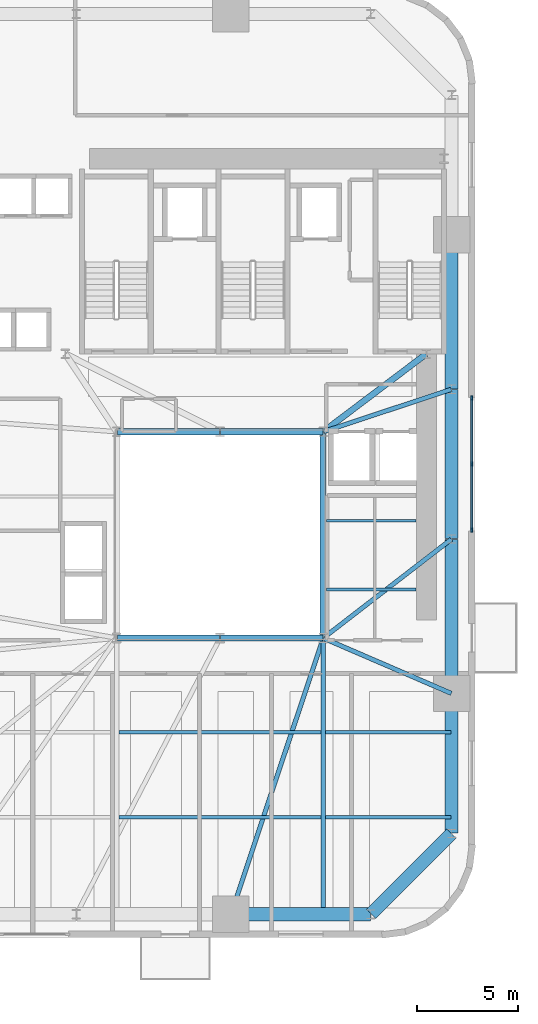
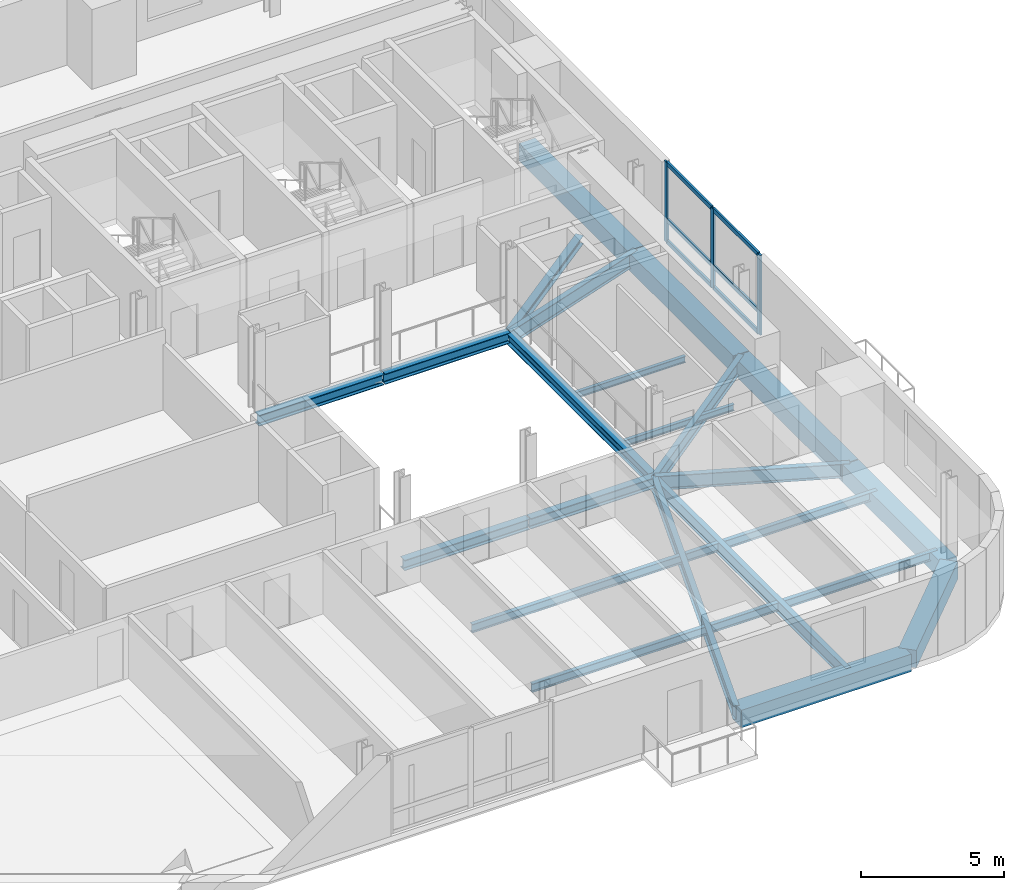
# One storey, part 3 of 13: 23 beams, 9 members, 1 element without a shape of its own.
"""IFC4 building model written with IfcOpenShell, lengths in metres."""

from ifc_helpers import new_model, si_unit, direction, frame, origin, origin_2d, place, context, subcontext, project, spatial, rectangle, i_section, extrude, source, transform, mapped, material, material_profile, profile_set, type_object, element, aggregate, save


model = new_model("IFC4")

# Units and contexts
model_context = context("Model", 3, precision=1e-05, world=origin(), true_north=direction((0.0, 1.0)))
body_context = subcontext(model_context, "Body", "Model", "MODEL_VIEW")
ifc_project = project(units=[si_unit("LENGTHUNIT", "METRE"), si_unit("AREAUNIT", "SQUARE_METRE"), si_unit("VOLUMEUNIT", "CUBIC_METRE"), si_unit("PLANEANGLEUNIT", "RADIAN"), si_unit("MASSUNIT", "GRAM", prefix="KILO")], contexts=[model_context])

# Site, building, storey
site_placement = place(None, origin())
site = spatial("IfcSite", under=ifc_project, at=site_placement, CompositionType="ELEMENT")
building_placement = place(site_placement, origin())
building = spatial("IfcBuilding", under=site, at=building_placement, Name="Vardaveli Station Tower", CompositionType="ELEMENT")
storey_placement = place(building_placement, frame((0.0, 0.0, 53.14990234375)))
storey = spatial("IfcBuildingStorey", under=building, at=storey_placement, Name="L13", CompositionType="ELEMENT", Elevation=53.14990234375)

# Beams
ifc_material_1 = material(Name="Structural steel S355J2", Category="steel")
ifc_material_profile_1 = material_profile(ifc_material_1, i_section(OverallWidth=0.300048828125, OverallDepth=0.449951171875, WebThickness=0.013916015625, FlangeThickness=0.02587890625, FilletRadius=0.027099609375, at=origin_2d()), Name="HEB 450")
ifc_profile_set_1 = profile_set([ifc_material_profile_1], Name="Structural steel S355J2")
beam_type_1 = type_object("IfcBeamType", Name="BM-HEB450", PredefinedType="BEAM", material=ifc_profile_set_1)
shared_shape_1 = source(origin(), body_context, "Body", "SweptSolid", [
    extrude(i_section(OverallWidth=0.300048828125, OverallDepth=0.449951171875, WebThickness=0.013916015625, FlangeThickness=0.02587890625, FilletRadius=0.027099609375, at=origin_2d()), origin(), (0.0, 0.0, 1.0), 5.06005859375),
])
for number, where, z_axis, x_axis, name in (
    (1, (31.219970703125, 16.60009765625, -0.46484375), (1.0, 0.0, 0.0), (0.0, 1.0, 0.0), "ABM-L13-01"),
    (2, (36.280029296875, 26.800048828125, -0.46484375), (-1.0, 0.0, 0.0), (0.0, -1.0, 0.0), "ABM-L13-05"),
):
    element("IfcBeam", number, at=place(storey_placement, frame(where, z_axis=z_axis, x_axis=x_axis)), inside=storey, type_object=beam_type_1, Name=name, PredefinedType="BEAM", context=body_context, shape_type="MappedRepresentation", body=[
        mapped(shared_shape_1, transform((0.0, 0.0, 0.0), scale=1.0)),
    ])
shared_shape_2 = source(origin(), body_context, "Body", "SweptSolid", [
    extrude(i_section(OverallWidth=0.300048828125, OverallDepth=0.449951171875, WebThickness=0.013916015625, FlangeThickness=0.02587890625, FilletRadius=0.027099609375, at=origin_2d()), origin(), (0.0, 0.0, 1.0), 5.059814453125),
])
for number, where, z_axis, x_axis, name in (
    (3, (36.320068359375, 16.60009765625, -0.46484375), (1.0, 0.0, 0.0), (0.0, 1.0, 0.0), "ABM-L13-02"),
    (4, (41.3798828125, 26.800048828125, -0.46484375), (-1.0, 0.0, 0.0), (0.0, -1.0, 0.0), "ABM-L13-04"),
):
    element("IfcBeam", number, at=place(storey_placement, frame(where, z_axis=z_axis, x_axis=x_axis)), inside=storey, type_object=beam_type_1, Name=name, PredefinedType="BEAM", context=body_context, shape_type="MappedRepresentation", body=[
        mapped(shared_shape_2, transform((0.0, 0.0, 0.0), scale=1.0)),
    ])
shared_shape_3 = source(origin(), body_context, "Body", "SweptSolid", [
    extrude(i_section(OverallWidth=0.300048828125, OverallDepth=0.449951171875, WebThickness=0.013916015625, FlangeThickness=0.02587890625, FilletRadius=0.027099609375, at=origin_2d()), origin(), (0.0, 0.0, 1.0), 10.159912109375),
])
beam_1_placement = place(storey_placement, frame((41.39990234375, 16.6201171875, -0.46484375), z_axis=(0.0, 1.0, 0.0), x_axis=(-1.0, 0.0, 0.0)))
element("IfcBeam", 5, at=beam_1_placement, inside=storey, type_object=beam_type_1, Name="ABM-L13-03", PredefinedType="BEAM", context=body_context, shape_type="MappedRepresentation", body=[
    mapped(shared_shape_3, transform((0.0, 0.0, 0.0), scale=1.0)),
])
ifc_material_profile_2 = material_profile(ifc_material_1, i_section(OverallWidth=0.300048828125, OverallDepth=0.360107421875, WebThickness=0.012451171875, FlangeThickness=0.0224609375, FilletRadius=0.027099609375, at=origin_2d()), Name="HEB 360")
ifc_profile_set_2 = profile_set([ifc_material_profile_2], Name="Structural steel S355J2")
beam_type_2 = type_object("IfcBeamType", Name="BM-HEB360", PredefinedType="BEAM", material=ifc_profile_set_2)
shared_shape_4 = source(origin(), body_context, "Body", "SweptSolid", [
    extrude(i_section(OverallWidth=0.300048828125, OverallDepth=0.360107421875, WebThickness=0.012451171875, FlangeThickness=0.0224609375, FilletRadius=0.027099609375, at=origin_2d()), origin(), (0.0, 0.0, 1.0), 6.35009765625),
])
beam_2_placement = place(storey_placement, frame((41.416015625, 26.81201171875, -0.419921875), z_axis=(0.798118337722, 0.602500721154, 0.0), x_axis=(-0.602500721154, 0.798118337722, 0.0)))
element("IfcBeam", 6, at=beam_2_placement, inside=storey, type_object=beam_type_2, Name="CBM-L13-02", PredefinedType="BEAM", context=body_context, shape_type="MappedRepresentation", body=[
    mapped(shared_shape_4, transform((0.0, 0.0, 0.0), scale=1.0)),
])
ifc_material_2 = material(Name="Precast concrete C45/55", Category="concrete")
ifc_material_profile_3 = material_profile(ifc_material_2, rectangle(XDim=0.64990234375, YDim=0.75, at=origin_2d()), Name="LPB 650x750")
ifc_profile_set_3 = profile_set([ifc_material_profile_3], Name="Precast concrete C45/55")
beam_type_3 = type_object("IfcBeamType", Name="BM-LPB-750", PredefinedType="BEAM", material=ifc_profile_set_3)
shared_shape_5 = source(origin(), body_context, "Body", "SweptSolid", [
    extrude(rectangle(XDim=0.64990234375, YDim=0.75, at=origin_2d()), origin(), (0.0, 0.0, 1.0), 7.60009765625),
])
for number, where, z_axis, x_axis, name in (
    (7, (47.75, 13.8798828125, -0.614990234375), (0.0, 1.0, 0.0), (-1.0, 0.0, 0.0), "RBM-L13-07"),
    (8, (47.75, 28.919921875, -0.614990234375), (0.0, 1.0, 0.0), (-1.0, 0.0, 0.0), "RBM-L13-09"),
):
    element("IfcBeam", number, at=place(storey_placement, frame(where, z_axis=z_axis, x_axis=x_axis)), inside=storey, type_object=beam_type_3, Name=name, PredefinedType="BEAM", context=body_context, shape_type="MappedRepresentation", body=[
        mapped(shared_shape_5, transform((0.0, 0.0, 0.0), scale=1.0)),
    ])
shared_shape_6 = source(origin(), body_context, "Body", "SweptSolid", [
    extrude(rectangle(XDim=0.64990234375, YDim=0.75, at=origin_2d()), origin(), (0.0, 0.0, 1.0), 7.35986328125),
])
beam_3_placement = place(storey_placement, frame((47.75, 21.52001953125, -0.614990234375), z_axis=(0.0, 1.0, 0.0), x_axis=(-1.0, 0.0, 0.0)))
element("IfcBeam", 9, at=beam_3_placement, inside=storey, type_object=beam_type_3, Name="RBM-L13-08", PredefinedType="BEAM", context=body_context, shape_type="MappedRepresentation", body=[
    mapped(shared_shape_6, transform((0.0, 0.0, 0.0), scale=1.0)),
])
shared_shape_7 = source(origin(), body_context, "Body", "SweptSolid", [
    extrude(rectangle(XDim=0.64990234375, YDim=0.75, at=origin_2d()), origin(), (0.0, 0.0, 1.0), 6.869873046875),
])
beam_4_placement = place(storey_placement, frame((36.860107421875, 2.949951171875, -0.614990234375), z_axis=(1.0, 0.0, 0.0), x_axis=(0.0, 1.0, 0.0)))
element("IfcBeam", 10, at=beam_4_placement, inside=storey, type_object=beam_type_3, Name="RBM-L13-04", PredefinedType="BEAM", context=body_context, shape_type="MappedRepresentation", body=[
    mapped(shared_shape_7, transform((0.0, 0.0, 0.0), scale=1.0)),
])
shared_shape_8 = source(origin(), body_context, "Body", "SweptSolid", [
    extrude(rectangle(XDim=0.64990234375, YDim=0.75, at=origin_2d()), origin(), (0.0, 0.0, 1.0), 5.61669921875),
])
beam_5_placement = place(storey_placement, frame((43.76416015625, 2.964111328125, -0.614990234375), z_axis=(0.707106781187, 0.707106781187, 0.0), x_axis=(-0.707106781187, 0.707106781187, 0.0)))
element("IfcBeam", 11, at=beam_5_placement, inside=storey, type_object=beam_type_3, Name="RBM-L13-05", PredefinedType="BEAM", context=body_context, shape_type="MappedRepresentation", body=[
    mapped(shared_shape_8, transform((0.0, 0.0, 0.0), scale=1.0)),
])
shared_shape_9 = source(origin(), body_context, "Body", "SweptSolid", [
    extrude(rectangle(XDim=0.64990234375, YDim=0.75, at=origin_2d()), origin(), (0.0, 0.0, 1.0), 6.8701171875),
])
beam_6_placement = place(storey_placement, frame((47.75, 6.969970703125, -0.614990234375), z_axis=(0.0, 1.0, 0.0), x_axis=(-1.0, 0.0, 0.0)))
element("IfcBeam", 12, at=beam_6_placement, inside=storey, type_object=beam_type_3, Name="RBM-L13-06", PredefinedType="BEAM", context=body_context, shape_type="MappedRepresentation", body=[
    mapped(shared_shape_9, transform((0.0, 0.0, 0.0), scale=1.0)),
])
ifc_material_profile_4 = material_profile(ifc_material_1, i_section(OverallWidth=0.219970703125, OverallDepth=0.60009765625, WebThickness=0.011962890625, FlangeThickness=0.01904296875, FilletRadius=0.02392578125, at=origin_2d()), Name="IPE 600")
ifc_profile_set_4 = profile_set([ifc_material_profile_4], Name="Structural steel S355J2")
beam_type_4 = type_object("IfcBeamType", Name="BM-IPE600", PredefinedType="BEAM", material=ifc_profile_set_4)
shared_shape_10 = source(origin(), body_context, "Body", "SweptSolid", [
    extrude(i_section(OverallWidth=0.219970703125, OverallDepth=0.60009765625, WebThickness=0.011962890625, FlangeThickness=0.01904296875, FilletRadius=0.02392578125, at=origin_2d()), origin(), (0.0, 0.0, 1.0), 14.3515625),
])
beam_7_placement = place(storey_placement, frame((36.846435546875, 2.968994140625, -0.539794921875), z_axis=(0.316840115921, 0.948478961782, 0.0), x_axis=(-0.948478961782, 0.316840115921, 0.0)))
element("IfcBeam", 13, at=beam_7_placement, inside=storey, type_object=beam_type_4, Name="GBM-L13-04", PredefinedType="BEAM", context=body_context, shape_type="MappedRepresentation", body=[
    mapped(shared_shape_10, transform((0.0, 0.0, 0.0), scale=1.0)),
])
shared_shape_11 = source(origin(), body_context, "Body", "SweptSolid", [
    extrude(i_section(OverallWidth=0.219970703125, OverallDepth=0.60009765625, WebThickness=0.011962890625, FlangeThickness=0.01904296875, FilletRadius=0.02392578125, at=origin_2d()), origin(), (0.0, 0.0, 1.0), 6.8759765625),
])
beam_8_placement = place(storey_placement, frame((47.731689453125, 13.867919921875, -0.539794921875), z_axis=(-0.918170694621, 0.396185026899, 0.0), x_axis=(-0.396185026899, -0.918170694621, 0.0)))
element("IfcBeam", 14, at=beam_8_placement, inside=storey, type_object=beam_type_4, Name="GBM-L13-05", PredefinedType="BEAM", context=body_context, shape_type="MappedRepresentation", body=[
    mapped(shared_shape_11, transform((0.0, 0.0, 0.0), scale=1.0)),
])
shared_shape_12 = source(origin(), body_context, "Body", "SweptSolid", [
    extrude(i_section(OverallWidth=0.219970703125, OverallDepth=0.60009765625, WebThickness=0.011962890625, FlangeThickness=0.01904296875, FilletRadius=0.02392578125, at=origin_2d()), origin(), (0.0, 0.0, 1.0), 7.980712890625),
])
beam_9_placement = place(storey_placement, frame((47.734130859375, 21.48779296875, -0.539794921875), z_axis=(-0.791701934907, -0.610907559509, 0.0), x_axis=(0.610907559509, -0.791701934907, 0.0)))
element("IfcBeam", 15, at=beam_9_placement, inside=storey, type_object=beam_type_4, Name="GBM-L13-06", PredefinedType="BEAM", context=body_context, shape_type="MappedRepresentation", body=[
    mapped(shared_shape_12, transform((0.0, 0.0, 0.0), scale=1.0)),
])
shared_shape_13 = source(origin(), body_context, "Body", "SweptSolid", [
    extrude(i_section(OverallWidth=0.219970703125, OverallDepth=0.60009765625, WebThickness=0.011962890625, FlangeThickness=0.01904296875, FilletRadius=0.02392578125, at=origin_2d()), origin(), (0.0, 0.0, 1.0), 6.648193359375),
])
beam_10_placement = place(storey_placement, frame((47.73095703125, 28.893798828125, -0.539794921875), z_axis=(-0.949429779906, -0.313979446824, 0.0), x_axis=(0.313979446824, -0.949429779906, 0.0)))
element("IfcBeam", 16, at=beam_10_placement, inside=storey, type_object=beam_type_4, Name="GBM-L13-07", PredefinedType="BEAM", context=body_context, shape_type="MappedRepresentation", body=[
    mapped(shared_shape_13, transform((0.0, 0.0, 0.0), scale=1.0)),
])
ifc_material_profile_5 = material_profile(ifc_material_1, i_section(OverallWidth=0.2099609375, OverallDepth=0.550048828125, WebThickness=0.010986328125, FlangeThickness=0.01708984375, FilletRadius=0.02392578125, at=origin_2d()), Name="IPE 550")
ifc_profile_set_5 = profile_set([ifc_material_profile_5], Name="Structural steel S355J2")
beam_type_5 = type_object("IfcBeamType", Name="BM-IPE550", PredefinedType="BEAM", material=ifc_profile_set_5)
shared_shape_14 = source(origin(), body_context, "Body", "SweptSolid", [
    extrude(i_section(OverallWidth=0.2099609375, OverallDepth=0.550048828125, WebThickness=0.010986328125, FlangeThickness=0.01708984375, FilletRadius=0.02392578125, at=origin_2d()), origin(), (0.0, 0.0, 1.0), 13.469970703125),
])
beam_11_placement = place(storey_placement, frame((41.39990234375, 2.989990234375, -0.514892578125), z_axis=(0.0, 1.0, 0.0), x_axis=(-1.0, 0.0, 0.0)))
element("IfcBeam", 17, at=beam_11_placement, inside=storey, type_object=beam_type_5, Name="NSM-L13-S2", PredefinedType="BEAM", context=body_context, shape_type="MappedRepresentation", body=[
    mapped(shared_shape_14, transform((0.0, 0.0, 0.0), scale=1.0)),
])
ifc_material_profile_6 = material_profile(ifc_material_1, i_section(OverallWidth=0.169921875, OverallDepth=0.360107421875, WebThickness=0.008056640625, FlangeThickness=0.0126953125, FilletRadius=0.01806640625, at=origin_2d()), Name="IPE 360")
ifc_profile_set_6 = profile_set([ifc_material_profile_6], Name="Structural steel S355J2")
beam_type_6 = type_object("IfcBeamType", Name="BM-IPE360", PredefinedType="JOIST", material=ifc_profile_set_6)
shared_shape_15 = source(origin(), body_context, "Body", "SweptSolid", [
    extrude(i_section(OverallWidth=0.169921875, OverallDepth=0.360107421875, WebThickness=0.008056640625, FlangeThickness=0.0126953125, FilletRadius=0.01806640625, at=origin_2d()), origin(), (0.0, 0.0, 1.0), 9.97607421875),
])
for number, where, z_axis, x_axis, name in (
    (18, (31.31201171875, 7.75, -0.419921875), (1.0, 0.0, 0.0), (0.0, 1.0, 0.0), "SJ-L13-S02"),
    (19, (31.31201171875, 11.949951171875, -0.419921875), (1.0, 0.0, 0.0), (0.0, 1.0, 0.0), "SJ-L13-S05"),
):
    element("IfcBeam", number, at=place(storey_placement, frame(where, z_axis=z_axis, x_axis=x_axis)), inside=storey, type_object=beam_type_6, Name=name, PredefinedType="JOIST", context=body_context, shape_type="MappedRepresentation", body=[
        mapped(shared_shape_15, transform((0.0, 0.0, 0.0), scale=1.0)),
    ])
shared_shape_16 = source(origin(), body_context, "Body", "SweptSolid", [
    extrude(i_section(OverallWidth=0.169921875, OverallDepth=0.360107421875, WebThickness=0.008056640625, FlangeThickness=0.0126953125, FilletRadius=0.01806640625, at=origin_2d()), origin(), (0.0, 0.0, 1.0), 6.197998046875),
])
for number, where, z_axis, x_axis, name in (
    (20, (41.511962890625, 7.75, -0.419921875), (1.0, 0.0, 0.0), (0.0, 1.0, 0.0), "SJ-L13-S03"),
    (21, (41.511962890625, 11.949951171875, -0.419921875), (1.0, 0.0, 0.0), (0.0, 1.0, 0.0), "SJ-L13-S06"),
):
    element("IfcBeam", number, at=place(storey_placement, frame(where, z_axis=z_axis, x_axis=x_axis)), inside=storey, type_object=beam_type_6, Name=name, PredefinedType="JOIST", context=body_context, shape_type="MappedRepresentation", body=[
        mapped(shared_shape_16, transform((0.0, 0.0, 0.0), scale=1.0)),
    ])
ifc_material_profile_7 = material_profile(ifc_material_1, i_section(OverallWidth=0.135009765625, OverallDepth=0.27001953125, WebThickness=0.006591796875, FlangeThickness=0.01025390625, FilletRadius=0.014892578125, at=origin_2d()), Name="IPE 270")
ifc_profile_set_7 = profile_set([ifc_material_profile_7], Name="Structural steel S355J2")
beam_type_7 = type_object("IfcBeamType", Name="BM-IPE270", PredefinedType="BEAM", material=ifc_profile_set_7)
shared_shape_17 = source(origin(), body_context, "Body", "SweptSolid", [
    extrude(i_section(OverallWidth=0.135009765625, OverallDepth=0.27001953125, WebThickness=0.006591796875, FlangeThickness=0.01025390625, FilletRadius=0.014892578125, at=origin_2d()), origin(), (0.0, 0.0, 1.0), 4.43017578125),
])
for number, where, z_axis, x_axis, name in (
    (22, (41.56494140625, 19.0, -0.375), (1.0, 0.0, 0.0), (0.0, 1.0, 0.0), "TJ-L13-01"),
    (23, (41.56494140625, 22.39990234375, -0.375), (1.0, 0.0, 0.0), (0.0, 1.0, 0.0), "TJ-L13-02"),
):
    element("IfcBeam", number, at=place(storey_placement, frame(where, z_axis=z_axis, x_axis=x_axis)), inside=storey, type_object=beam_type_7, Name=name, PredefinedType="BEAM", context=body_context, shape_type="MappedRepresentation", body=[
        mapped(shared_shape_17, transform((0.0, 0.0, 0.0), scale=1.0)),
    ])

# Curtain wall, members
ifc_material_3 = material(Name="Travertine stone and solar-control glass", Category="masonry")
curtain_wall_type = type_object("IfcCurtainWallType", Name="CW-SYS-2", PredefinedType="NOTDEFINED", material=ifc_material_3)
curtain_wall_placement = place(storey_placement, origin())
curtain_wall = element("IfcCurtainWall", 24, at=curtain_wall_placement, inside=storey, type_object=curtain_wall_type, Name="CW-L13-E", PredefinedType="NOTDEFINED")
ifc_material_4 = material(Name="Anodised aluminium alloy 6063-T6", Category="aluminium")
ifc_material_profile_8 = material_profile(ifc_material_4, rectangle(XDim=0.0849609375, YDim=0.179931640625, at=origin_2d()), Name="CWT 85x180")
ifc_profile_set_8 = profile_set([ifc_material_profile_8], Name="Anodised aluminium alloy 6063-T6")
member_type_1 = type_object("IfcMemberType", Name="CW-SYS-2-TRAN", PredefinedType="NOTDEFINED", material=ifc_profile_set_8)
shared_shape_18 = source(origin(), body_context, "Body", "SweptSolid", [
    extrude(rectangle(XDim=0.0849609375, YDim=0.179931640625, at=origin_2d()), origin(), (0.0, 0.0, 1.0), 3.172607421875),
])
member_1_placement = place(storey_placement, frame((48.739990234375, 25.242431640625, 0.04248046875), z_axis=(0.0, 1.0, 0.0), x_axis=(-1.0, 0.0, 0.0)))
member_1 = element("IfcMember", 25, at=member_1_placement, type_object=member_type_1, Name="CW-2 transom 2.1", ObjectType="TRANSOM", PredefinedType="USERDEFINED", context=body_context, shape_type="MappedRepresentation", body=[
    mapped(shared_shape_18, transform((0.0, 0.0, 0.0), scale=1.0)),
])
member_2_placement = place(storey_placement, frame((48.739990234375, 25.242431640625, 0.9501953125), z_axis=(0.0, 1.0, 0.0), x_axis=(-1.0, 0.0, 0.0)))
member_2 = element("IfcMember", 26, at=member_2_placement, type_object=member_type_1, Name="CW-2 transom 2.2", ObjectType="TRANSOM", PredefinedType="USERDEFINED", context=body_context, shape_type="MappedRepresentation", body=[
    mapped(shared_shape_18, transform((0.0, 0.0, 0.0), scale=1.0)),
])
member_3_placement = place(storey_placement, frame((48.739990234375, 25.242431640625, 3.36767578125), z_axis=(0.0, 1.0, 0.0), x_axis=(-1.0, 0.0, 0.0)))
member_3 = element("IfcMember", 27, at=member_3_placement, type_object=member_type_1, Name="CW-2 transom 2.3", ObjectType="TRANSOM", PredefinedType="USERDEFINED", context=body_context, shape_type="MappedRepresentation", body=[
    mapped(shared_shape_18, transform((0.0, 0.0, 0.0), scale=1.0)),
])
shared_shape_19 = source(origin(), body_context, "Body", "SweptSolid", [
    extrude(rectangle(XDim=0.0849609375, YDim=0.179931640625, at=origin_2d()), origin(), (0.0, 0.0, 1.0), 3.17236328125),
])
member_4_placement = place(storey_placement, frame((48.739990234375, 21.985107421875, 0.04248046875), z_axis=(0.0, 1.0, 0.0), x_axis=(-1.0, 0.0, 0.0)))
member_4 = element("IfcMember", 28, at=member_4_placement, type_object=member_type_1, Name="CW-2 transom 1.1", ObjectType="TRANSOM", PredefinedType="USERDEFINED", context=body_context, shape_type="MappedRepresentation", body=[
    mapped(shared_shape_19, transform((0.0, 0.0, 0.0), scale=1.0)),
])
member_5_placement = place(storey_placement, frame((48.739990234375, 21.985107421875, 0.9501953125), z_axis=(0.0, 1.0, 0.0), x_axis=(-1.0, 0.0, 0.0)))
member_5 = element("IfcMember", 29, at=member_5_placement, type_object=member_type_1, Name="CW-2 transom 1.2", ObjectType="TRANSOM", PredefinedType="USERDEFINED", context=body_context, shape_type="MappedRepresentation", body=[
    mapped(shared_shape_19, transform((0.0, 0.0, 0.0), scale=1.0)),
])
member_6_placement = place(storey_placement, frame((48.739990234375, 21.985107421875, 3.36767578125), z_axis=(0.0, 1.0, 0.0), x_axis=(-1.0, 0.0, 0.0)))
member_6 = element("IfcMember", 30, at=member_6_placement, type_object=member_type_1, Name="CW-2 transom 1.3", ObjectType="TRANSOM", PredefinedType="USERDEFINED", context=body_context, shape_type="MappedRepresentation", body=[
    mapped(shared_shape_19, transform((0.0, 0.0, 0.0), scale=1.0)),
])
ifc_material_profile_9 = material_profile(ifc_material_4, rectangle(XDim=0.0849609375, YDim=0.219970703125, at=origin_2d()), Name="CWM 85x220")
ifc_profile_set_9 = profile_set([ifc_material_profile_9], Name="Anodised aluminium alloy 6063-T6")
member_type_2 = type_object("IfcMemberType", Name="CW-SYS-2-MULL", PredefinedType="MULLION", material=ifc_profile_set_9)
shared_shape_20 = source(origin(), body_context, "Body", "SweptSolid", [
    extrude(rectangle(XDim=0.0849609375, YDim=0.219970703125, at=origin_2d()), origin(), (0.0, 0.0, 1.0), 3.41015625),
])
member_7_placement = place(storey_placement, frame((48.739990234375, 21.9423828125, 0.0), z_axis=(0.0, 0.0, 1.0), x_axis=(-1.0, 0.0, 0.0)))
member_7 = element("IfcMember", 31, at=member_7_placement, type_object=member_type_2, Name="CW-2 mullion 1", PredefinedType="MULLION", context=body_context, shape_type="MappedRepresentation", body=[
    mapped(shared_shape_20, transform((0.0, 0.0, 0.0), scale=1.0)),
])
member_8_placement = place(storey_placement, frame((48.739990234375, 25.199951171875, 0.0), z_axis=(0.0, 0.0, 1.0), x_axis=(-1.0, 0.0, 0.0)))
member_8 = element("IfcMember", 32, at=member_8_placement, type_object=member_type_2, Name="CW-2 mullion 2", PredefinedType="MULLION", context=body_context, shape_type="MappedRepresentation", body=[
    mapped(shared_shape_20, transform((0.0, 0.0, 0.0), scale=1.0)),
])
member_9_placement = place(storey_placement, frame((48.739990234375, 28.45751953125, 0.0), z_axis=(0.0, 0.0, 1.0), x_axis=(-1.0, 0.0, 0.0)))
member_9 = element("IfcMember", 33, at=member_9_placement, type_object=member_type_2, Name="CW-2 mullion 3", PredefinedType="MULLION", context=body_context, shape_type="MappedRepresentation", body=[
    mapped(shared_shape_20, transform((0.0, 0.0, 0.0), scale=1.0)),
])
aggregate(curtain_wall, [member_7, member_8, member_9, member_4, member_5, member_6, member_1, member_2, member_3])

save(model, "model.ifc")
